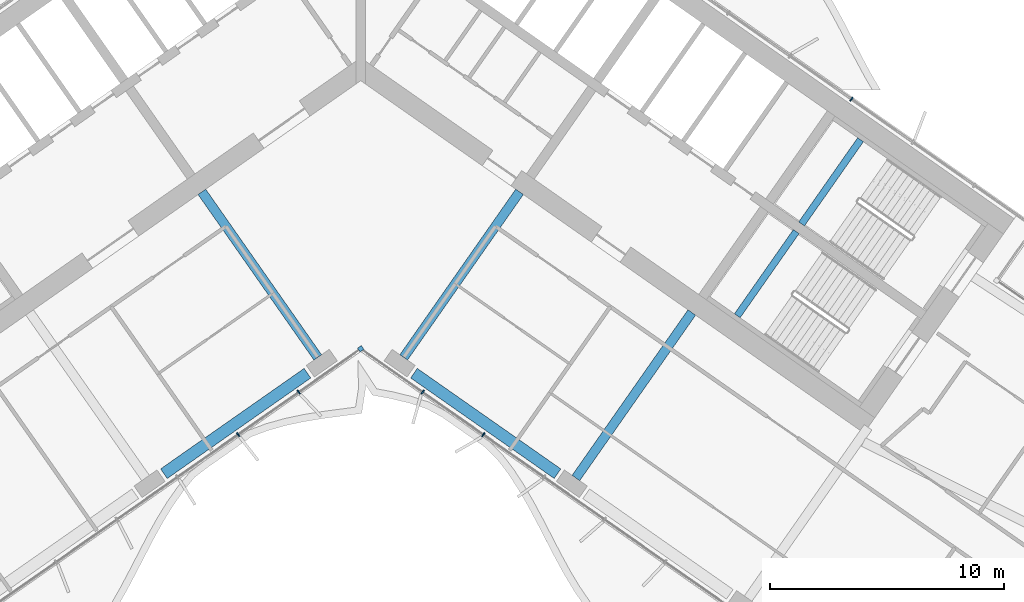
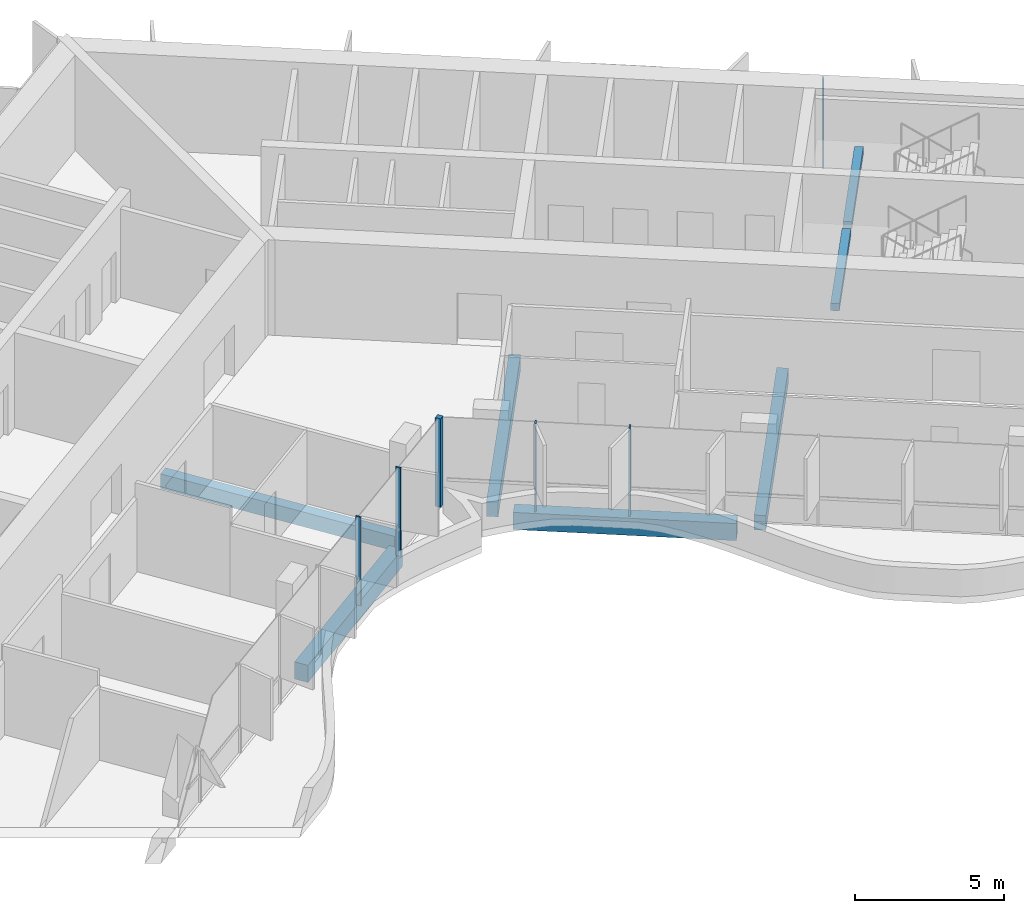
# One storey, part 6 of 24: 7 beams, 6 members, 2 elements without a shape of their own.
"""IFC4 building model written with IfcOpenShell, lengths in metres."""

from ifc_helpers import new_model, si_unit, direction, frame, origin, origin_2d, place, context, subcontext, project, spatial, rectangle, extrude, material, material_profile, profile_set, type_object, element, aggregate, save


model = new_model("IFC4")

# Units and contexts
model_context = context("Model", 3, precision=1e-05, world=origin(), true_north=direction((0.0, 1.0)))
body_context = subcontext(model_context, "Body", "Model", "MODEL_VIEW")
ifc_project = project(units=[si_unit("LENGTHUNIT", "METRE"), si_unit("AREAUNIT", "SQUARE_METRE"), si_unit("VOLUMEUNIT", "CUBIC_METRE"), si_unit("PLANEANGLEUNIT", "RADIAN"), si_unit("MASSUNIT", "GRAM", prefix="KILO")], contexts=[model_context])

# Site, building, storey
site_placement = place(None, origin())
site = spatial("IfcSite", under=ifc_project, at=site_placement, CompositionType="ELEMENT")
building_placement = place(site_placement, origin())
building = spatial("IfcBuilding", under=site, at=building_placement, Name="Tel Ilan Convention Tower", CompositionType="ELEMENT")
storey_placement = place(building_placement, frame((0.0, 0.0, 132.0)))
storey = spatial("IfcBuildingStorey", under=building, at=storey_placement, Name="L29", CompositionType="ELEMENT", Elevation=132.0)

# Beams
ifc_material_1 = material(Name="Concrete C40/50", Category="concrete")
ifc_material_profile_1 = material_profile(ifc_material_1, rectangle(XDim=0.39990234375, YDim=0.60009765625, at=origin_2d()), Name="RC 400x600")
ifc_profile_set_1 = profile_set([ifc_material_profile_1], Name="Concrete C40/50")
beam_type_1 = type_object("IfcBeamType", Name="Beam RC 400x600 Concrete C40/50", PredefinedType="BEAM", material=ifc_profile_set_1)
for number, where, z_axis, x_axis, name in (
    (1, (-1.83740234375, -13.06689453125, -0.580078125), (-0.573574099654, 0.819153680457, 0.0), (-0.819153680457, -0.573574099654, 0.0), "L29 beam W-W-F1-core"),
    (2, (1.83740234375, -13.06689453125, -0.580078125), (0.573574099654, 0.819153680457, 0.0), (-0.819153680457, 0.573574099654, 0.0), "L29 beam E-E-F1-core"),
    (3, (9.209716796875, -18.229248046875, -0.580078125), (0.573574099654, 0.819153680457, 0.0), (-0.819153680457, 0.573574099654, 0.0), "L29 beam E-E-F2-core"),
):
    element("IfcBeam", number, at=place(storey_placement, frame(where, z_axis=z_axis, x_axis=x_axis)), inside=storey, type_object=beam_type_1, Name=name, PredefinedType="BEAM", context=body_context, shape_type="SweptSolid", body=[
        extrude(rectangle(XDim=0.39990234375, YDim=0.60009765625, at=origin_2d()), origin(), (0.0, 0.0, 1.0), 8.64990234375),
    ])
ifc_material_2 = material(Name="Concrete C40/50", Category="concrete")
ifc_material_profile_2 = material_profile(ifc_material_2, rectangle(XDim=0.5, YDim=0.699951171875, at=origin_2d()), Name="RC 500x700")
ifc_profile_set_2 = profile_set([ifc_material_profile_2], Name="Concrete C40/50")
beam_type_2 = type_object("IfcBeamType", Name="Beam RC 500x700 Concrete C40/50", PredefinedType="BEAM", material=ifc_profile_set_2)
for number, where, z_axis, x_axis, name in (
    (4, (-2.279541015625, -13.742919921875, -0.6298828125), (-0.819147803225, -0.57358249317, 0.0), (0.57358249317, -0.819147803225, 0.0), "L29 beam W-W-F1-W-F2"),
    (5, (2.279541015625, -13.742919921875, -0.6298828125), (0.819147803225, -0.57358249317, 0.0), (0.57358249317, 0.819147803225, 0.0), "L29 beam E-E-F1-E-F2"),
):
    element("IfcBeam", number, at=place(storey_placement, frame(where, z_axis=z_axis, x_axis=x_axis)), inside=storey, type_object=beam_type_2, Name=name, PredefinedType="BEAM", context=body_context, shape_type="SweptSolid", body=[
        extrude(rectangle(XDim=0.5, YDim=0.699951171875, at=origin_2d()), origin(), (0.0, 0.0, 1.0), 7.500244140625),
    ])

# Curtain wall, member
ifc_material_3 = material(Name="Aluminium, bronze anodised", Category="aluminium")
curtain_wall_type_1 = type_object("IfcCurtainWallType", Name="CW4 STICK CURTAIN WALL, OFFICE TINTED GLASS", PredefinedType="NOTDEFINED", material=ifc_material_3)
curtain_wall_1_placement = place(storey_placement, origin())
curtain_wall_1 = element("IfcCurtainWall", 6, at=curtain_wall_1_placement, inside=storey, type_object=curtain_wall_type_1, Name="Curtain wall CW4-23.10", PredefinedType="NOTDEFINED")
ifc_material_4 = material(Name="Aluminium, bronze anodised", Category="aluminium")
ifc_material_profile_3 = material_profile(ifc_material_4, rectangle(XDim=0.199951171875, YDim=0.199951171875, at=origin_2d()), Name="CW CORNER MULLION 200x200")
ifc_profile_set_3 = profile_set([ifc_material_profile_3], Name="Aluminium, bronze anodised")
member_type_1 = type_object("IfcMemberType", Name="CW CORNER MULLION 200x200", PredefinedType="MULLION", material=ifc_profile_set_3)
member_1_placement = place(storey_placement, frame((0.0, -12.696044921875, 0.0), z_axis=(0.0, 0.0, 1.0), x_axis=(0.819152044289, 0.573576436351, 0.0)))
member_1 = element("IfcMember", 7, at=member_1_placement, type_object=member_type_1, Name="Corner mullion", PredefinedType="MULLION", context=body_context, shape_type="SweptSolid", body=[
    extrude(rectangle(XDim=0.199951171875, YDim=0.199951171875, at=origin_2d()), origin(), (0.0, 0.0, 1.0), 3.6201171875),
])

ifc_material_5 = material(Name="Aluminium, bronze anodised", Category="aluminium")
curtain_wall_type_2 = type_object("IfcCurtainWallType", Name="CW2 STICK CURTAIN WALL, SPANDREL PANELS", PredefinedType="NOTDEFINED", material=ifc_material_5)
curtain_wall_2_placement = place(storey_placement, origin())
curtain_wall_2 = element("IfcCurtainWall", 8, at=curtain_wall_2_placement, inside=storey, type_object=curtain_wall_type_2, Name="Curtain wall CW2-23.05", PredefinedType="NOTDEFINED")
ifc_material_6 = material(Name="Aluminium, bronze anodised", Category="aluminium")
ifc_material_profile_4 = material_profile(ifc_material_6, rectangle(XDim=0.06005859375, YDim=0.199951171875, at=origin_2d()), Name="CW MULLION 60x200")
ifc_profile_set_4 = profile_set([ifc_material_profile_4], Name="Aluminium, bronze anodised")
member_type_2 = type_object("IfcMemberType", Name="CW MULLION 60x200", PredefinedType="MULLION", material=ifc_profile_set_4)
member_2_placement = place(storey_placement, frame((21.003662109375, -2.0107421875, 0.0), z_axis=(0.0, 0.0, 1.0), x_axis=(-0.819152044289, 0.573576436351, 0.0)))
member_2 = element("IfcMember", 9, at=member_2_placement, type_object=member_type_2, Name="Mullion", PredefinedType="MULLION", context=body_context, shape_type="SweptSolid", body=[
    extrude(rectangle(XDim=0.06005859375, YDim=0.199951171875, at=origin_2d()), origin(), (0.0, 0.0, 1.0), 3.6201171875),
])
aggregate(curtain_wall_2, [member_2])

# Member
member_3_placement = place(storey_placement, frame((-5.24755859375, -16.370361328125, 0.0), z_axis=(0.0, 0.0, 1.0), x_axis=(0.819152044289, 0.573576436351, 0.0)))
member_3 = element("IfcMember", 10, at=member_3_placement, type_object=member_type_2, Name="Mullion", PredefinedType="MULLION", context=body_context, shape_type="SweptSolid", body=[
    extrude(rectangle(XDim=0.06005859375, YDim=0.199951171875, at=origin_2d()), origin(), (0.0, 0.0, 1.0), 3.6201171875),
])

member_4_placement = place(storey_placement, frame((-2.65234375, -14.55322265625, 0.0), z_axis=(0.0, 0.0, 1.0), x_axis=(0.819152044289, 0.573576436351, 0.0)))
member_4 = element("IfcMember", 11, at=member_4_placement, type_object=member_type_2, Name="Mullion", PredefinedType="MULLION", context=body_context, shape_type="SweptSolid", body=[
    extrude(rectangle(XDim=0.06005859375, YDim=0.199951171875, at=origin_2d()), origin(), (0.0, 0.0, 1.0), 3.6201171875),
])

member_5_placement = place(storey_placement, frame((2.65234375, -14.55322265625, 0.0), z_axis=(0.0, 0.0, 1.0), x_axis=(0.819152044289, -0.573576436351, 0.0)))
member_5 = element("IfcMember", 12, at=member_5_placement, type_object=member_type_2, Name="Mullion", PredefinedType="MULLION", context=body_context, shape_type="SweptSolid", body=[
    extrude(rectangle(XDim=0.06005859375, YDim=0.199951171875, at=origin_2d()), origin(), (0.0, 0.0, 1.0), 3.6201171875),
])

member_6_placement = place(storey_placement, frame((5.24755859375, -16.370361328125, 0.0), z_axis=(0.0, 0.0, 1.0), x_axis=(0.819152044289, -0.573576436351, 0.0)))
member_6 = element("IfcMember", 13, at=member_6_placement, type_object=member_type_2, Name="Mullion", PredefinedType="MULLION", context=body_context, shape_type="SweptSolid", body=[
    extrude(rectangle(XDim=0.06005859375, YDim=0.199951171875, at=origin_2d()), origin(), (0.0, 0.0, 1.0), 3.6201171875),
])

aggregate(curtain_wall_1, [member_3, member_4, member_1, member_5, member_6])

# Beams
ifc_material_7 = material(Name="Concrete C40/50", Category="concrete")
ifc_material_profile_5 = material_profile(ifc_material_7, rectangle(XDim=0.300048828125, YDim=0.300048828125, at=origin_2d()), Name="RC 300x300")
ifc_profile_set_5 = profile_set([ifc_material_profile_5], Name="Concrete C40/50")
beam_type_3 = type_object("IfcBeamType", Name="Landing Beam RC 300x300 Concrete C40/50", PredefinedType="BEAM", material=ifc_profile_set_5)
beam_1_placement = place(storey_placement, frame((21.39404296875, -3.7490234375, 1.60009765625), z_axis=(-0.57354426506, -0.819174569928, 0.0), x_axis=(0.819174569928, -0.57354426506, 0.0)))
element("IfcBeam", 14, at=beam_1_placement, inside=storey, type_object=beam_type_3, Name="S3 landing beam L29.1", PredefinedType="BEAM", context=body_context, shape_type="SweptSolid", body=[
    extrude(rectangle(XDim=0.300048828125, YDim=0.300048828125, at=origin_2d()), origin(), (0.0, 0.0, 1.0), 4.400146484375),
])
beam_2_placement = place(storey_placement, frame((18.640869140625, -7.68115234375, 1.60009765625), z_axis=(-0.573570334442, -0.819156316858, 0.0), x_axis=(0.819156316858, -0.573570334442, 0.0)))
element("IfcBeam", 15, at=beam_2_placement, inside=storey, type_object=beam_type_3, Name="S4 landing beam L29.1", PredefinedType="BEAM", context=body_context, shape_type="SweptSolid", body=[
    extrude(rectangle(XDim=0.300048828125, YDim=0.300048828125, at=origin_2d()), origin(), (0.0, 0.0, 1.0), 4.39990234375),
])

save(model, "model.ifc")
